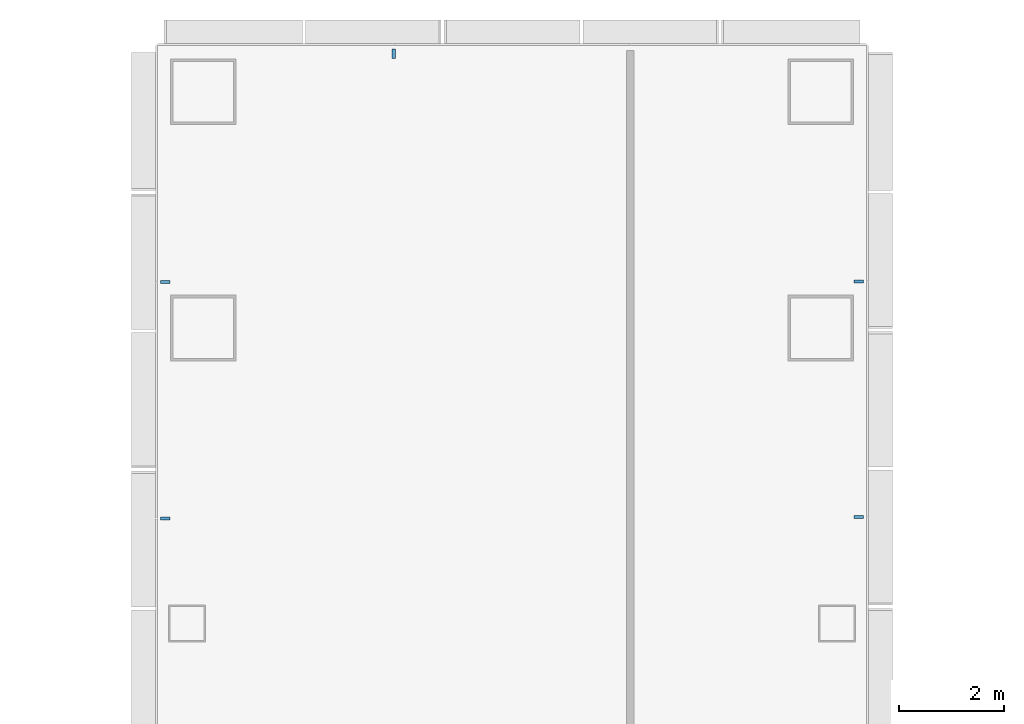
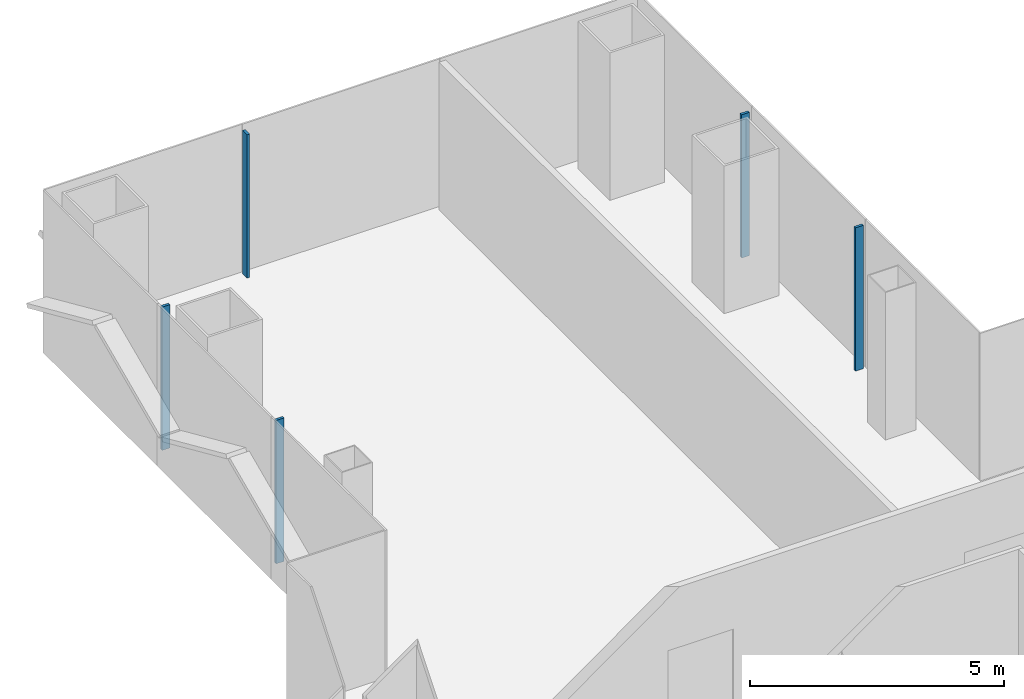
# One storey, part 7 of 19: 5 members, 3 elements without a shape of their own.
"""IFC4 building model written with IfcOpenShell, lengths in metres."""

from ifc_helpers import new_model, si_unit, direction, frame, origin, origin_2d, place, context, subcontext, project, spatial, rectangle, extrude, material, layer, layer_set, material_profile, profile_set, type_object, element, aggregate, save


model = new_model("IFC4")

# Units and contexts
model_context = context("Model", 3, precision=1e-05, world=origin(), true_north=direction((0.0, 1.0)))
body_context = subcontext(model_context, "Body", "Model", "MODEL_VIEW")
ifc_project = project(units=[si_unit("LENGTHUNIT", "METRE"), si_unit("AREAUNIT", "SQUARE_METRE"), si_unit("VOLUMEUNIT", "CUBIC_METRE"), si_unit("PLANEANGLEUNIT", "RADIAN"), si_unit("MASSUNIT", "GRAM", prefix="KILO")], contexts=[model_context])

# Site, building, storey
site_placement = place(None, origin())
site = spatial("IfcSite", under=ifc_project, at=site_placement, CompositionType="ELEMENT")
building_placement = place(site_placement, origin())
building = spatial("IfcBuilding", under=site, at=building_placement, Name="Shamsa Quay Exchange Towers", CompositionType="ELEMENT")
storey_placement = place(building_placement, frame((0.0, 0.0, 85.800048828125)))
storey = spatial("IfcBuildingStorey", under=building, at=storey_placement, Name="L19", CompositionType="ELEMENT", Elevation=85.800048828125)

# Curtain wall, members
ifc_material = material(Name="Aluminium EN AW-6063 T6, black anodised", Category="aluminium")
ifc_layer = layer(ifc_material, 0.280029296875)
ifc_layer_set = layer_set([ifc_layer], Name="CW-1 UNITISED VISION GLASS")
curtain_wall_type = type_object("IfcCurtainWallType", Name="CW-1 UNITISED VISION GLASS", PredefinedType="NOTDEFINED", material=ifc_layer_set)
curtain_wall_1_placement = place(storey_placement, origin())
curtain_wall_1 = element("IfcCurtainWall", 1, at=curtain_wall_1_placement, inside=storey, type_object=curtain_wall_type, Name="CW1 T2-FLK-U+S L19", PredefinedType="NOTDEFINED")
ifc_material_profile = material_profile(ifc_material, rectangle(XDim=0.179931640625, YDim=0.06005859375, at=origin_2d()), Name="MU60x180")
ifc_profile_set = profile_set([ifc_material_profile], Name="Aluminium EN AW-6063 T6, black anodised")
member_type = type_object("IfcMemberType", Name="CW1 MULLION 60x180", PredefinedType="MULLION", material=ifc_profile_set)
member_1_placement = place(storey_placement, frame((40.35009765625, 15.775390625, 0.0), z_axis=(0.0, 0.0, 1.0), x_axis=(-1.0, 0.0, 0.0)))
member_1 = element("IfcMember", 2, at=member_1_placement, type_object=member_type, Name="CW1 mullion", PredefinedType="MULLION", context=body_context, shape_type="SweptSolid", body=[
    extrude(rectangle(XDim=0.179931640625, YDim=0.06005859375, at=origin_2d()), origin(), (0.0, 0.0, 1.0), 3.449951171875),
])
member_2_placement = place(storey_placement, frame((40.35009765625, 20.2626953125, 0.0), z_axis=(0.0, 0.0, 1.0), x_axis=(-1.0, 0.0, 0.0)))
member_2 = element("IfcMember", 3, at=member_2_placement, type_object=member_type, Name="CW1 mullion", PredefinedType="MULLION", context=body_context, shape_type="SweptSolid", body=[
    extrude(rectangle(XDim=0.179931640625, YDim=0.06005859375, at=origin_2d()), origin(), (0.0, 0.0, 1.0), 3.449951171875),
])
aggregate(curtain_wall_1, [member_1, member_2])

# Curtain wall, member
curtain_wall_2_placement = place(storey_placement, origin())
curtain_wall_2 = element("IfcCurtainWall", 4, at=curtain_wall_2_placement, inside=storey, type_object=curtain_wall_type, Name="CW1 T2-END-U+ L19", PredefinedType="NOTDEFINED")
member_3_placement = place(storey_placement, frame((31.5, 24.60009765625, 0.0), z_axis=(0.0, 0.0, 1.0), x_axis=(0.0, -1.0, 0.0)))
member_3 = element("IfcMember", 5, at=member_3_placement, type_object=member_type, Name="CW1 mullion", PredefinedType="MULLION", context=body_context, shape_type="SweptSolid", body=[
    extrude(rectangle(XDim=0.179931640625, YDim=0.06005859375, at=origin_2d()), origin(), (0.0, 0.0, 1.0), 3.449951171875),
])
aggregate(curtain_wall_2, [member_3])

# Curtain wall, members
curtain_wall_3_placement = place(storey_placement, origin())
curtain_wall_3 = element("IfcCurtainWall", 6, at=curtain_wall_3_placement, inside=storey, type_object=curtain_wall_type, Name="CW1 T2-FLK-U+N L19", PredefinedType="NOTDEFINED")
member_4_placement = place(storey_placement, frame((27.14990234375, 20.25, 0.0)))
member_4 = element("IfcMember", 7, at=member_4_placement, type_object=member_type, Name="CW1 mullion", PredefinedType="MULLION", context=body_context, shape_type="SweptSolid", body=[
    extrude(rectangle(XDim=0.179931640625, YDim=0.06005859375, at=origin_2d()), origin(), (0.0, 0.0, 1.0), 3.449951171875),
])
member_5_placement = place(storey_placement, frame((27.14990234375, 15.75, 0.0)))
member_5 = element("IfcMember", 8, at=member_5_placement, type_object=member_type, Name="CW1 mullion", PredefinedType="MULLION", context=body_context, shape_type="SweptSolid", body=[
    extrude(rectangle(XDim=0.179931640625, YDim=0.06005859375, at=origin_2d()), origin(), (0.0, 0.0, 1.0), 3.449951171875),
])
aggregate(curtain_wall_3, [member_4, member_5])

save(model, "model.ifc")
